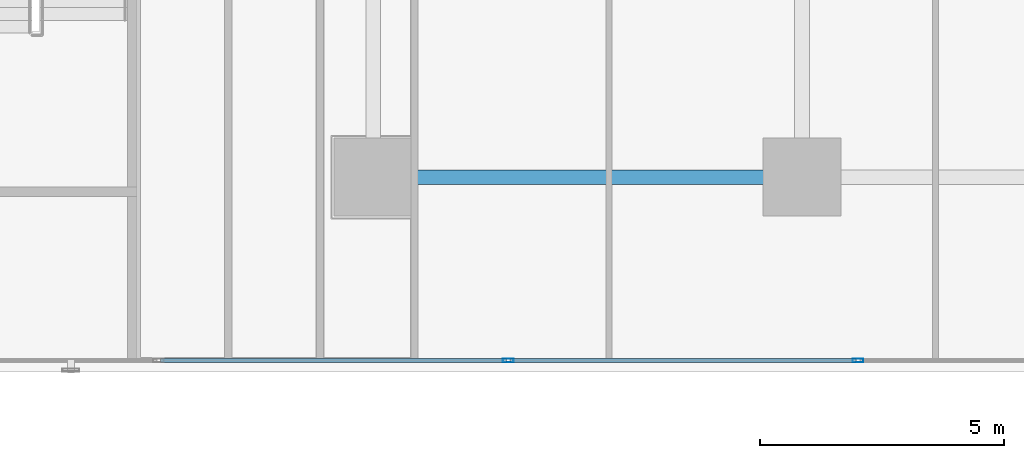
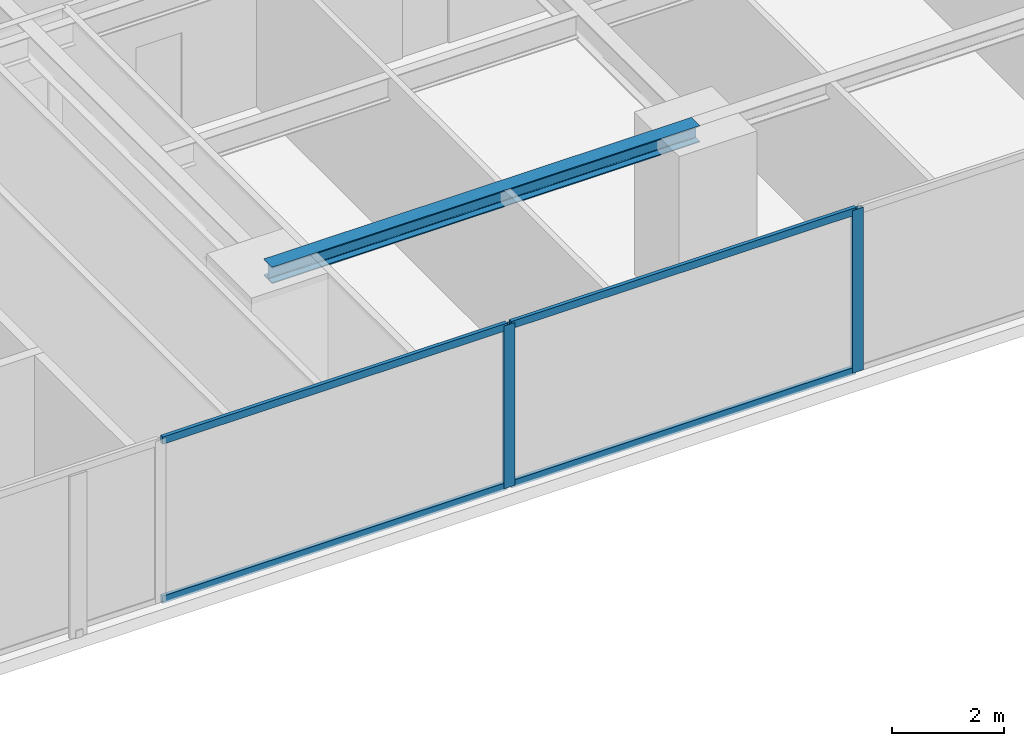
# One storey, part 9 of 27: 6 members, 1 beam, 1 element without a shape of its own.
"""IFC4 building model written with IfcOpenShell, lengths in metres."""

from ifc_helpers import new_model, si_unit, direction, frame, origin, origin_with_axes, origin_2d, place, context, subcontext, project, spatial, hollow_rectangle, i_section, extrude, source, transform, mapped, material, layer, layer_set, material_profile, profile_set, type_object, element, aggregate, save


model = new_model("IFC4")

# Units and contexts
model_context = context("Model", 3, precision=1e-05, world=origin(), true_north=direction((0.0, 1.0)))
body_context = subcontext(model_context, "Body", "Model", "MODEL_VIEW")
ifc_project = project(units=[si_unit("LENGTHUNIT", "METRE"), si_unit("AREAUNIT", "SQUARE_METRE"), si_unit("VOLUMEUNIT", "CUBIC_METRE"), si_unit("PLANEANGLEUNIT", "RADIAN"), si_unit("MASSUNIT", "GRAM", prefix="KILO")], contexts=[model_context])

# Site, building, storey
site_placement = place(None, origin())
site = spatial("IfcSite", under=ifc_project, at=site_placement, CompositionType="ELEMENT")
building_placement = place(site_placement, origin())
building = spatial("IfcBuilding", under=site, at=building_placement, Name="Kolvaren Waterfront Exchange", CompositionType="ELEMENT")
storey_placement = place(building_placement, frame((0.0, 0.0, 60.0)))
storey = spatial("IfcBuildingStorey", under=building, at=storey_placement, Name="L15", CompositionType="ELEMENT", Elevation=60.0)

# Beam
ifc_material_1 = material(Name="Steel S355", Category="steel")
ifc_material_profile_1 = material_profile(ifc_material_1, i_section(OverallWidth=0.300048828125, OverallDepth=0.360107421875, WebThickness=0.012451171875, FlangeThickness=0.0224609375, FilletRadius=0.027099609375, at=origin_2d()), Name="HEB360")
ifc_profile_set_1 = profile_set([ifc_material_profile_1], Name="Steel S355")
beam_type = type_object("IfcBeamType", Name="STR-BM-HEB360", PredefinedType="SPANDREL", material=ifc_profile_set_1)
beam_placement = place(storey_placement, frame((36.800048828125, 5.199951171875, 3.360107421875), z_axis=(1.0, 0.0, 0.0), x_axis=(0.0, 1.0, 0.0)))
element("IfcBeam", 1, at=beam_placement, inside=storey, type_object=beam_type, Name="L15 east-arm spandrel S3", PredefinedType="SPANDREL", context=body_context, shape_type="SweptSolid", body=[
    extrude(i_section(OverallWidth=0.300048828125, OverallDepth=0.360107421875, WebThickness=0.012451171875, FlangeThickness=0.0224609375, FilletRadius=0.027099609375, at=origin_2d()), origin(), (0.0, 0.0, 1.0), 8.800048828125),
])

# Curtain wall, members
ifc_material_2 = material(Name="Anodised bronze aluminium 6063-T6", Category="aluminium")
ifc_layer = layer(ifc_material_2, 0.219970703125, Name="Anodised bronze aluminium 6063-T6")
ifc_layer_set = layer_set([ifc_layer], Name="Anodised bronze aluminium 6063-T6")
curtain_wall_type = type_object("IfcCurtainWallType", Name="ARC-CW-SYS1", PredefinedType="USERDEFINED", material=ifc_layer_set)
curtain_wall_placement = place(storey_placement, origin())
curtain_wall = element("IfcCurtainWall", 2, at=curtain_wall_placement, inside=storey, type_object=curtain_wall_type, Name="L15 stick curtain wall CW1 (CW-L15-S)", ObjectType="STICK CURTAIN WALL", PredefinedType="USERDEFINED")
ifc_material_3 = material(Name="Anodised aluminium 6063-T6", Category="aluminium")
ifc_material_profile_2 = material_profile(ifc_material_3, hollow_rectangle(XDim=0.074951171875, YDim=0.159912109375, WallThickness=0.00439453125, at=origin_2d()), Name="ALU-TRN-160x75x4.5")
ifc_profile_set_2 = profile_set([ifc_material_profile_2], Name="Anodised aluminium 6063-T6")
member_type_1 = type_object("IfcMemberType", Name="ARC-CWT-160", PredefinedType="USERDEFINED", material=ifc_profile_set_2)
shared_shape_1 = source(origin_with_axes(), body_context, "Body", "SweptSolid", [
    extrude(hollow_rectangle(XDim=0.074951171875, YDim=0.159912109375, WallThickness=0.00439453125, at=origin_2d()), origin(), (0.0, 0.0, 1.0), 7.094970703125),
])
member_1_placement = place(storey_placement, frame((32.43994140625, 1.43994140625, 0.03759765625), z_axis=(1.0, 0.0, 0.0), x_axis=(0.0, 1.0, 0.0)))
member_1 = element("IfcMember", 3, at=member_1_placement, type_object=member_type_1, Name="CW1 transom 5.1", ObjectType="TRANSOM", PredefinedType="USERDEFINED", context=body_context, shape_type="MappedRepresentation", body=[
    mapped(shared_shape_1, transform((0.0, 0.0, 0.0), x_axis=(1.0, 0.0, 0.0), y_axis=(0.0, 1.0, 0.0), z_axis=(0.0, 0.0, 1.0), scale=1.0)),
])
member_2_placement = place(storey_placement, frame((32.43994140625, 1.43994140625, 3.50244140625), z_axis=(1.0, 0.0, 0.0), x_axis=(0.0, 1.0, 0.0)))
member_2 = element("IfcMember", 4, at=member_2_placement, type_object=member_type_1, Name="CW1 transom 5.2", ObjectType="TRANSOM", PredefinedType="USERDEFINED", context=body_context, shape_type="MappedRepresentation", body=[
    mapped(shared_shape_1, transform((0.0, 0.0, 0.0), x_axis=(1.0, 0.0, 0.0), y_axis=(0.0, 1.0, 0.0), z_axis=(0.0, 0.0, 1.0), scale=1.0)),
])
member_3_placement = place(storey_placement, frame((39.614990234375, 1.43994140625, 0.03759765625), z_axis=(1.0, 0.0, 0.0), x_axis=(0.0, 1.0, 0.0)))
member_3 = element("IfcMember", 5, at=member_3_placement, type_object=member_type_1, Name="CW1 transom 6.1", ObjectType="TRANSOM", PredefinedType="USERDEFINED", context=body_context, shape_type="MappedRepresentation", body=[
    mapped(shared_shape_1, transform((0.0, 0.0, 0.0), x_axis=(1.0, 0.0, 0.0), y_axis=(0.0, 1.0, 0.0), z_axis=(0.0, 0.0, 1.0), scale=1.0)),
])
member_4_placement = place(storey_placement, frame((39.614990234375, 1.43994140625, 3.50244140625), z_axis=(1.0, 0.0, 0.0), x_axis=(0.0, 1.0, 0.0)))
member_4 = element("IfcMember", 6, at=member_4_placement, type_object=member_type_1, Name="CW1 transom 6.2", ObjectType="TRANSOM", PredefinedType="USERDEFINED", context=body_context, shape_type="MappedRepresentation", body=[
    mapped(shared_shape_1, transform((0.0, 0.0, 0.0), x_axis=(1.0, 0.0, 0.0), y_axis=(0.0, 1.0, 0.0), z_axis=(0.0, 0.0, 1.0), scale=1.0)),
])
ifc_material_profile_3 = material_profile(ifc_material_3, hollow_rectangle(XDim=0.080078125, YDim=0.219970703125, WallThickness=0.0048828125, at=origin_2d()), Name="ALU-MUL-220x80x5")
ifc_profile_set_3 = profile_set([ifc_material_profile_3], Name="Anodised aluminium 6063-T6")
member_type_2 = type_object("IfcMemberType", Name="ARC-CWM-220", PredefinedType="MULLION", material=ifc_profile_set_3)
shared_shape_2 = source(origin_with_axes(), body_context, "Body", "SweptSolid", [
    extrude(hollow_rectangle(XDim=0.080078125, YDim=0.219970703125, WallThickness=0.0048828125, at=origin_2d()), origin(), (0.0, 0.0, 1.0), 3.5400390625),
])
member_5_placement = place(storey_placement, frame((39.574951171875, 1.43994140625, 0.0), z_axis=(0.0, 0.0, 1.0), x_axis=(0.0, 1.0, 0.0)))
member_5 = element("IfcMember", 7, at=member_5_placement, type_object=member_type_2, Name="CW1 mullion 6", PredefinedType="MULLION", context=body_context, shape_type="MappedRepresentation", body=[
    mapped(shared_shape_2, transform((0.0, 0.0, 0.0), x_axis=(1.0, 0.0, 0.0), y_axis=(0.0, 1.0, 0.0), z_axis=(0.0, 0.0, 1.0), scale=1.0)),
])
member_6_placement = place(storey_placement, frame((46.75, 1.43994140625, 0.0), z_axis=(0.0, 0.0, 1.0), x_axis=(0.0, 1.0, 0.0)))
member_6 = element("IfcMember", 8, at=member_6_placement, type_object=member_type_2, Name="CW1 mullion 7", PredefinedType="MULLION", context=body_context, shape_type="MappedRepresentation", body=[
    mapped(shared_shape_2, transform((0.0, 0.0, 0.0), x_axis=(1.0, 0.0, 0.0), y_axis=(0.0, 1.0, 0.0), z_axis=(0.0, 0.0, 1.0), scale=1.0)),
])
aggregate(curtain_wall, [member_5, member_6, member_1, member_2, member_3, member_4])

save(model, "model.ifc")
